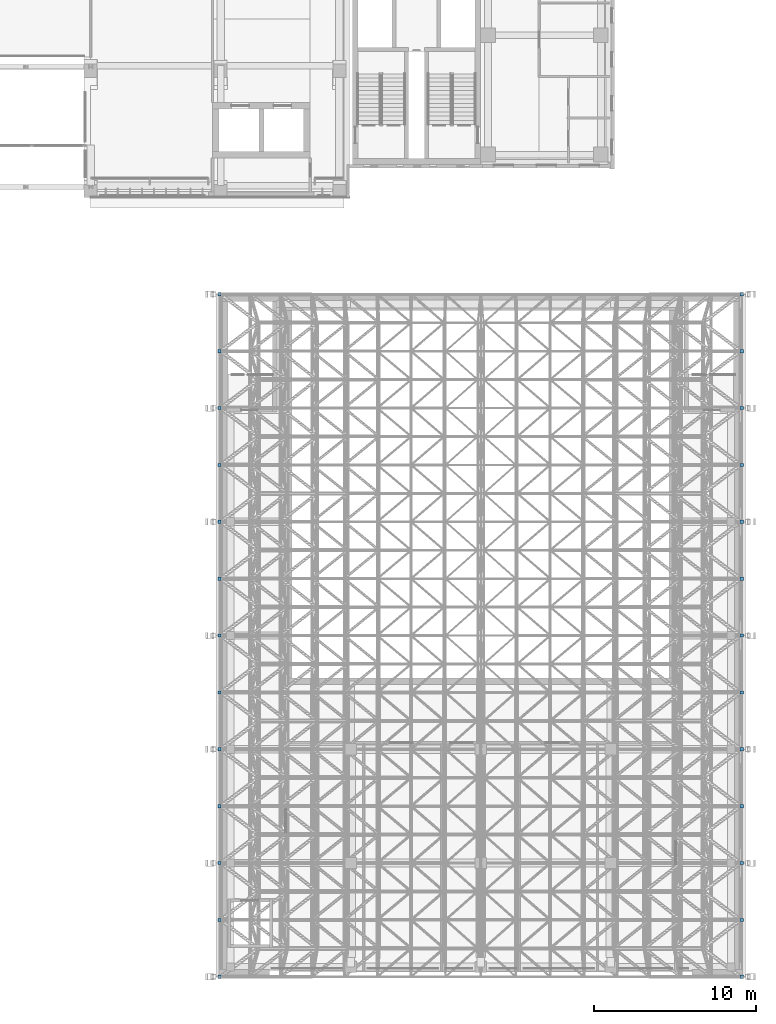
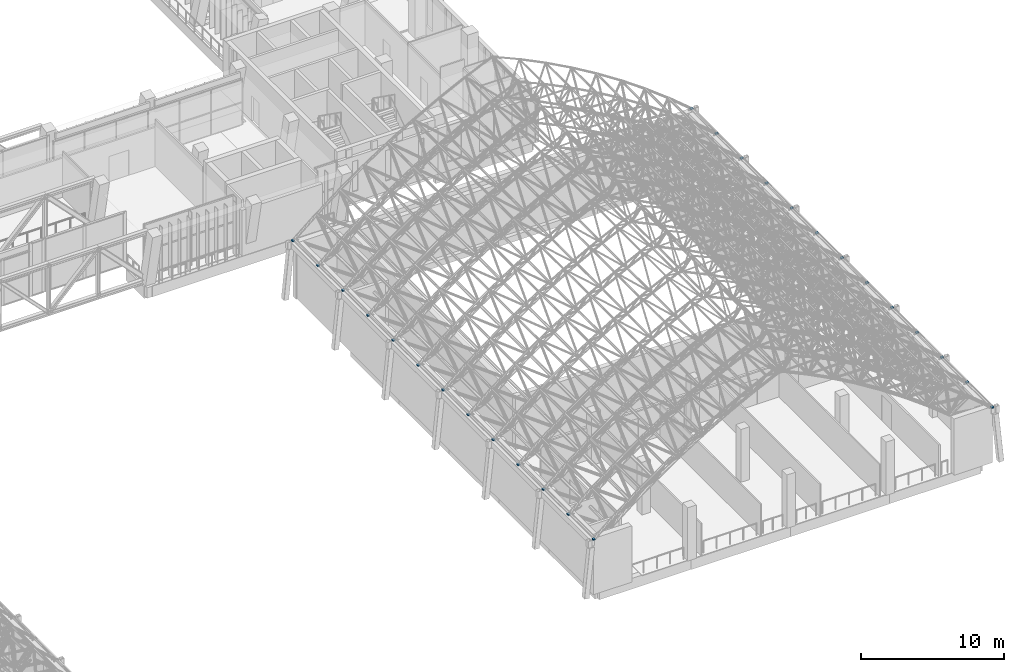
# One storey, part 118 of 141: 26 discrete accessories.
"""IFC4 building model written with IfcOpenShell, lengths in metres."""

import ifcopenshell
import ifcopenshell.guid

model = None  # the IFC model being written
_history = None  # IfcOwnerHistory: only IFC2X3 demands one
_inside = {}  # id of a spatial element -> (the spatial element, [elements in it])
_under = {}  # id of a project, library or spatial element -> (it, [spatial elements below it])
_declared = {}  # id of a project -> (the project, [libraries it declares])
_typed = {}  # id of a type object -> (the type object, [elements of that type])
_made_of = {}  # id of a material, layer set ... -> (it, [elements and type objects made of it])


def new_model(schema):
    """Start an empty IFC model of exactly this schema.

    Asked for "IFC4X3", IfcOpenShell would pick the latest addendum, in which some entities
    have other attributes; the version numbers below select the first issue.
    IFC2X3 requires an IfcOwnerHistory on every rooted entity: one is made here for all.
    """
    global model, _history
    if schema == "IFC4X3":
        model = ifcopenshell.file(schema_version=(4, 3, 0, 0))
    else:
        model = ifcopenshell.file(schema=schema)
    _inside.clear()
    _under.clear()
    _declared.clear()
    _typed.clear()
    _made_of.clear()
    _history = None
    if model.schema == "IFC2X3":
        org = make("IfcOrganization", Name="unknown")
        user = make(
            "IfcPersonAndOrganization",
            ThePerson=make("IfcPerson", FamilyName="unknown"),
            TheOrganization=org,
        )
        app = make(
            "IfcApplication",
            ApplicationDeveloper=org,
            Version="unknown",
            ApplicationFullName="unknown",
            ApplicationIdentifier="unknown",
        )
        _history = make(
            "IfcOwnerHistory",
            OwningUser=user,
            OwningApplication=app,
            ChangeAction="ADDED",
            CreationDate=0,
        )
    return model


def make(cls, **values):
    """One entity of the class cls with the attributes given. An attribute that is None is left unset."""
    return model.create_entity(
        cls, **{name: value for name, value in values.items() if value is not None}
    )


def rooted(cls, **values):
    """An entity with a GlobalId (a new one), such as an element, a storey or a relation."""
    return make(cls, GlobalId=ifcopenshell.guid.new(), OwnerHistory=_history, **values)


def si_unit(unit_type, name, prefix=None):
    """IfcSIUnit, for example si_unit("LENGTHUNIT", "METRE", prefix="MILLI")."""
    return make("IfcSIUnit", UnitType=unit_type, Prefix=prefix, Name=name)


def assignment(units):
    """IfcUnitAssignment: the units of a project."""
    return None if units is None else make("IfcUnitAssignment", Units=units)


def point(xyz):
    """IfcCartesianPoint."""
    return None if xyz is None else make("IfcCartesianPoint", Coordinates=xyz)


def direction(xyz):
    """IfcDirection."""
    return None if xyz is None else make("IfcDirection", DirectionRatios=xyz)


def frame(location, z_axis=None, x_axis=None):
    """IfcAxis2Placement3D, a coordinate frame: its origin and axes. An axis left out is left unset."""
    return make(
        "IfcAxis2Placement3D",
        Location=point(location),
        Axis=direction(z_axis),
        RefDirection=direction(x_axis),
    )


def frame_2d(location, x_axis=None):
    """IfcAxis2Placement2D, a coordinate frame in the plane: its origin and x axis."""
    return make(
        "IfcAxis2Placement2D", Location=point(location), RefDirection=direction(x_axis)
    )


def origin():
    """The frame at (0, 0, 0) with its axes left unset."""
    return frame((0.0, 0.0, 0.0))


def origin_2d():
    """The frame at (0, 0) in the plane with its x axis left unset."""
    return frame_2d((0.0, 0.0))


def place(relative_to, where):
    """IfcLocalPlacement: puts the frame where relative to a parent placement (None: the world)."""
    return make(
        "IfcLocalPlacement", PlacementRelTo=relative_to, RelativePlacement=where
    )


def context(
    kind, dimensions, precision=None, world=None, true_north=None, identifier=None
):
    """IfcGeometricRepresentationContext, for example the 3D "Model" context."""
    return make(
        "IfcGeometricRepresentationContext",
        ContextIdentifier=identifier,
        ContextType=kind,
        CoordinateSpaceDimension=dimensions,
        Precision=precision,
        WorldCoordinateSystem=world,
        TrueNorth=true_north,
    )


def subcontext(parent, identifier, kind, view, scale=None):
    """IfcGeometricRepresentationSubContext, for example "Body" below "Model"."""
    return make(
        "IfcGeometricRepresentationSubContext",
        ContextIdentifier=identifier,
        ContextType=kind,
        ParentContext=parent,
        TargetScale=scale,
        TargetView=view,
    )


def project(units=None, contexts=None):
    """IfcProject with its units and contexts."""
    return rooted(
        "IfcProject",
        Name="project",
        RepresentationContexts=contexts,
        UnitsInContext=assignment(units),
    )


def spatial(cls, under=None, at=None, **own):
    """A site, building, storey or space (cls), placed at a placement, below another one or the project."""
    s = rooted(cls, ObjectPlacement=at, **own)
    if under is not None:
        _under.setdefault(under.id(), (under, []))[1].append(s)
    return s


def profile(cls, at=None, kind="AREA", **sizes):
    """A parametric profile (cls). Its sizes go by their IFC names, for example OverallWidth=200.0."""
    return make(cls, ProfileType=kind, Position=at, **sizes)


def rectangle(**sizes):
    """IfcRectangleProfileDef."""
    return profile("IfcRectangleProfileDef", **sizes)


def extrude(swept, where, along, depth):
    """IfcExtrudedAreaSolid: the profile swept, set in the frame where, extruded along a direction by depth."""
    return make(
        "IfcExtrudedAreaSolid",
        SweptArea=swept,
        Position=where,
        ExtrudedDirection=direction(along),
        Depth=depth,
    )


def shape(context_of_items, identifier, shape_type, items):
    """IfcShapeRepresentation: the items that make up one representation, for example the "Body"."""
    return make(
        "IfcShapeRepresentation",
        ContextOfItems=context_of_items,
        RepresentationIdentifier=identifier,
        RepresentationType=shape_type,
        Items=items,
    )


def made_of(thing, what):
    """Note that an element or type object is made of a material, layer set ...; save() writes the relation."""
    if what is not None:
        _made_of.setdefault(what.id(), (what, []))[1].append(thing)
    return thing


def element(
    cls,
    number,
    at=None,
    inside=None,
    cuts=None,
    type_object=None,
    material=None,
    context=None,
    identifier="Body",
    shape_type=None,
    held_by="IfcProductDefinitionShape",
    body=None,
    shapes=None,
    **own,
):
    """One element of the class cls, such as IfcWall. Its Tag is "e" and its number.

    at: its placement. inside: the storey or other place that contains it. cuts: it is an
    opening in that element (IfcRelVoidsElement). A single representation is given by context,
    identifier, shape_type and body (its items); several are given by shapes. held_by: the class
    of the entity that holds the representations. save() writes the other relations.
    """
    e = rooted(cls, Tag="e%d" % number, ObjectPlacement=at, **own)
    if body is not None:
        shapes = [shape(context, identifier, shape_type, body)]
    if shapes is not None:
        e.Representation = make(held_by, Representations=shapes)
    if inside is not None:
        _inside.setdefault(inside.id(), (inside, []))[1].append(e)
    if cuts is not None:
        rooted(
            "IfcRelVoidsElement", RelatingBuildingElement=cuts, RelatedOpeningElement=e
        )
    if type_object is not None:
        _typed.setdefault(type_object.id(), (type_object, []))[1].append(e)
    return made_of(e, material)


def aggregate(whole, parts):
    """IfcRelAggregates: a whole, such as a stair, and the parts it consists of."""
    return rooted("IfcRelAggregates", RelatingObject=whole, RelatedObjects=parts)


def save(model, path):
    """Write the relations noted so far, then the file.

    IfcRelAggregates (storeys below a building ...), IfcRelContainedInSpatialStructure (elements
    in a storey), IfcRelDefinesByType, IfcRelAssociatesMaterial and IfcRelDeclares: one each for
    every whole, place, type object, material and project.
    """
    for whole, parts in _under.values():
        aggregate(whole, parts)
    for where, things in _inside.values():
        rooted(
            "IfcRelContainedInSpatialStructure",
            RelatedElements=things,
            RelatingStructure=where,
        )
    for kind, things in _typed.values():
        rooted("IfcRelDefinesByType", RelatedObjects=things, RelatingType=kind)
    for what, things in _made_of.values():
        rooted("IfcRelAssociatesMaterial", RelatedObjects=things, RelatingMaterial=what)
    for by, libraries in _declared.values():
        rooted("IfcRelDeclares", RelatingContext=by, RelatedDefinitions=libraries)
    model.write(path)


model = new_model("IFC4")

# Units and contexts
model_context = context("Model", 3, precision=1e-05, world=origin(), true_north=direction((0.0, 1.0)))
body_context = subcontext(model_context, "Body", "Model", "MODEL_VIEW")
ifc_project = project(units=[si_unit("LENGTHUNIT", "METRE"), si_unit("AREAUNIT", "SQUARE_METRE"), si_unit("VOLUMEUNIT", "CUBIC_METRE"), si_unit("PLANEANGLEUNIT", "RADIAN"), si_unit("MASSUNIT", "GRAM", prefix="KILO")], contexts=[model_context])

# Site, building, storey
site_placement = place(None, origin())
site = spatial("IfcSite", under=ifc_project, at=site_placement, CompositionType="ELEMENT")
building_placement = place(site_placement, origin())
building = spatial("IfcBuilding", under=site, at=building_placement, Name="Lantern Court Media Centre", CompositionType="ELEMENT")
storey_placement = place(building_placement, frame((0.0, 0.0, 9.60009765625)))
storey = spatial("IfcBuildingStorey", under=building, at=storey_placement, Name="L02", CompositionType="ELEMENT", Elevation=9.60009765625)

# Discrete accessories
for number, where, z_axis, x_axis, name in (
    (1, (71.929931640625, -2.0, 4.699951171875), (0.0, 0.0, 1.0), (1.0, 0.0, 0.0), "Studio Hall bearing shoe west 01"),
    (2, (71.929931640625, 1.5, 4.699951171875), (0.0, 0.0, 1.0), (1.0, 0.0, 0.0), "Studio Hall bearing shoe west 02"),
    (3, (71.929931640625, 5.0, 4.699951171875), (0.0, 0.0, 1.0), (1.0, 0.0, 0.0), "Studio Hall bearing shoe west 03"),
    (4, (71.929931640625, 8.5, 4.699951171875), (0.0, 0.0, 1.0), (1.0, 0.0, 0.0), "Studio Hall bearing shoe west 04"),
    (5, (71.929931640625, 12.0, 4.699951171875), (0.0, 0.0, 1.0), (1.0, 0.0, 0.0), "Studio Hall bearing shoe west 05"),
    (6, (71.929931640625, 15.5, 4.699951171875), (0.0, 0.0, 1.0), (1.0, 0.0, 0.0), "Studio Hall bearing shoe west 06"),
    (7, (71.929931640625, 19.0, 4.699951171875), (0.0, 0.0, 1.0), (1.0, 0.0, 0.0), "Studio Hall bearing shoe west 07"),
    (8, (71.929931640625, 22.5, 4.699951171875), (0.0, 0.0, 1.0), (1.0, 0.0, 0.0), "Studio Hall bearing shoe west 08"),
    (9, (71.929931640625, 26.0, 4.699951171875), (0.0, 0.0, 1.0), (1.0, 0.0, 0.0), "Studio Hall bearing shoe west 09"),
    (10, (71.929931640625, 29.5, 4.699951171875), (0.0, 0.0, 1.0), (1.0, 0.0, 0.0), "Studio Hall bearing shoe west 10"),
    (11, (71.929931640625, 33.0, 4.699951171875), (0.0, 0.0, 1.0), (1.0, 0.0, 0.0), "Studio Hall bearing shoe west 11"),
    (12, (71.929931640625, 36.5, 4.699951171875), (0.0, 0.0, 1.0), (1.0, 0.0, 0.0), "Studio Hall bearing shoe west 12"),
    (13, (71.929931640625, 40.0, 4.699951171875), (0.0, 0.0, 1.0), (1.0, 0.0, 0.0), "Studio Hall bearing shoe west 13"),
    (14, (104.070068359375, -2.0, 4.699951171875), (0.0, 0.0, 1.0), (1.0, 0.0, 0.0), "Studio Hall bearing shoe east 01"),
    (15, (104.070068359375, 1.5, 4.699951171875), (0.0, 0.0, 1.0), (1.0, 0.0, 0.0), "Studio Hall bearing shoe east 02"),
    (16, (104.070068359375, 5.0, 4.699951171875), (0.0, 0.0, 1.0), (1.0, 0.0, 0.0), "Studio Hall bearing shoe east 03"),
    (17, (104.070068359375, 8.5, 4.699951171875), (0.0, 0.0, 1.0), (1.0, 0.0, 0.0), "Studio Hall bearing shoe east 04"),
    (18, (104.070068359375, 12.0, 4.699951171875), (0.0, 0.0, 1.0), (1.0, 0.0, 0.0), "Studio Hall bearing shoe east 05"),
    (19, (104.070068359375, 15.5, 4.699951171875), (0.0, 0.0, 1.0), (1.0, 0.0, 0.0), "Studio Hall bearing shoe east 06"),
    (20, (104.070068359375, 19.0, 4.699951171875), (0.0, 0.0, 1.0), (1.0, 0.0, 0.0), "Studio Hall bearing shoe east 07"),
    (21, (104.070068359375, 22.5, 4.699951171875), (0.0, 0.0, 1.0), (1.0, 0.0, 0.0), "Studio Hall bearing shoe east 08"),
    (22, (104.070068359375, 26.0, 4.699951171875), (0.0, 0.0, 1.0), (1.0, 0.0, 0.0), "Studio Hall bearing shoe east 09"),
    (23, (104.070068359375, 29.5, 4.699951171875), (0.0, 0.0, 1.0), (1.0, 0.0, 0.0), "Studio Hall bearing shoe east 10"),
    (24, (104.070068359375, 33.0, 4.699951171875), (0.0, 0.0, 1.0), (1.0, 0.0, 0.0), "Studio Hall bearing shoe east 11"),
    (25, (104.070068359375, 36.5, 4.699951171875), (0.0, 0.0, 1.0), (1.0, 0.0, 0.0), "Studio Hall bearing shoe east 12"),
    (26, (104.070068359375, 40.0, 4.699951171875), (0.0, 0.0, 1.0), (1.0, 0.0, 0.0), "Studio Hall bearing shoe east 13"),
):
    element("IfcDiscreteAccessory", number, at=place(storey_placement, frame(where, z_axis=z_axis, x_axis=x_axis)), inside=storey, Name=name, PredefinedType="SHOE", context=body_context, shape_type="SweptSolid", body=[
        extrude(rectangle(XDim=0.199951171875, YDim=0.199951171875, at=origin_2d()), origin(), (0.0, 0.0, 1.0), 0.10009765625),
    ])

save(model, "model.ifc")
